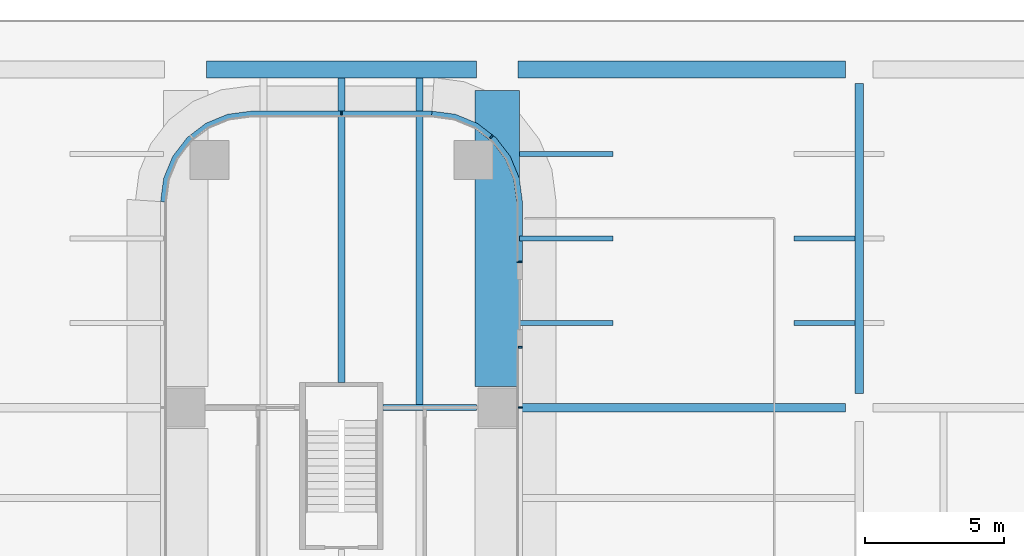
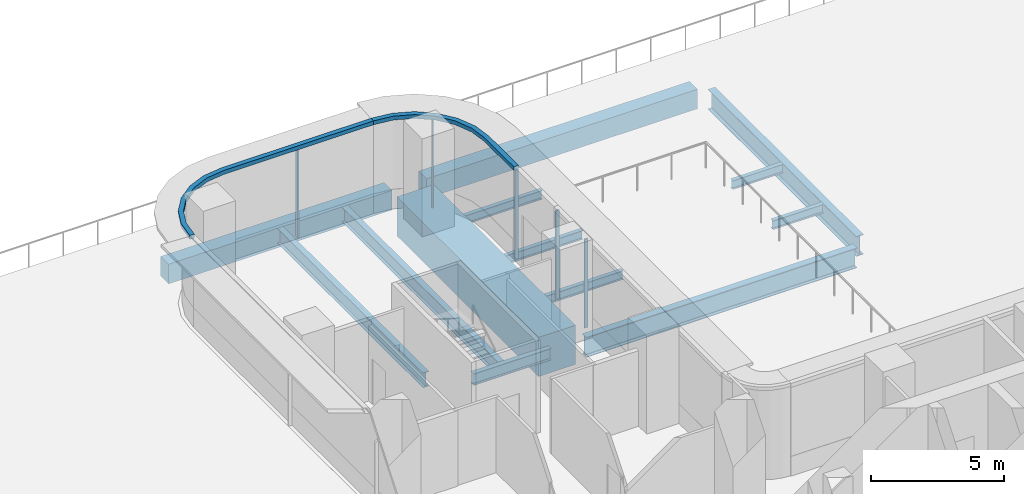
# One storey, part 15 of 29: 13 beams, 7 members, 3 elements without a shape of their own.
"""IFC4 building model written with IfcOpenShell, lengths in metres."""

from ifc_helpers import new_model, si_unit, direction, frame, origin, origin_2d, place, context, subcontext, project, spatial, polyline, rectangle, i_section, outline, extrude, source, transform, mapped, material, layer, layer_set, material_profile, profile_set, type_object, element, aggregate, save


model = new_model("IFC4")

# Units and contexts
model_context = context("Model", 3, precision=1e-05, world=origin(), true_north=direction((0.0, 1.0)))
body_context = subcontext(model_context, "Body", "Model", "MODEL_VIEW")
ifc_project = project(units=[si_unit("LENGTHUNIT", "METRE"), si_unit("AREAUNIT", "SQUARE_METRE"), si_unit("VOLUMEUNIT", "CUBIC_METRE"), si_unit("PLANEANGLEUNIT", "RADIAN"), si_unit("MASSUNIT", "GRAM", prefix="KILO")], contexts=[model_context])

# Site, building, storey
site_placement = place(None, origin())
site = spatial("IfcSite", under=ifc_project, at=site_placement, CompositionType="ELEMENT")
building_placement = place(site_placement, origin())
building = spatial("IfcBuilding", under=site, at=building_placement, Name="Trellis Farm Tower", CompositionType="ELEMENT")
storey_placement = place(building_placement, frame((0.0, 0.0, 34.0)))
storey = spatial("IfcBuildingStorey", under=building, at=storey_placement, Name="L06", CompositionType="ELEMENT", Elevation=34.0)

# Beams
ifc_material_1 = material(Name="Steel S355", Category="steel")
ifc_material_profile_1 = material_profile(ifc_material_1, i_section(OverallWidth=0.177978515625, OverallDepth=0.406494140625, WebThickness=0.0078125, FlangeThickness=0.0126953125, FilletRadius=0.01025390625, at=origin_2d()), Name="UB 406x178x60")
ifc_profile_set_1 = profile_set([ifc_material_profile_1], Name="Steel S355")
beam_type_1 = type_object("IfcBeamType", Name="UB 406x178x60 joist", PredefinedType="JOIST", material=ifc_profile_set_1)
shared_shape_1 = source(origin(), body_context, "Body", "SweptSolid", [
    extrude(i_section(OverallWidth=0.177978515625, OverallDepth=0.406494140625, WebThickness=0.0078125, FlangeThickness=0.0126953125, FilletRadius=0.01025390625, at=origin_2d()), origin(), (0.0, 0.0, 1.0), 2.197265625),
])
for number, where, z_axis, x_axis, name in (
    (1, (16.25, 21.637451171875, -0.55322265625), (1.0, 0.0, 0.0), (0.0, 1.0, 0.0), "Floor beam"),
    (2, (16.25, 24.675048828125, -0.55322265625), (1.0, 0.0, 0.0), (0.0, 1.0, 0.0), "Floor beam"),
):
    element("IfcBeam", number, at=place(storey_placement, frame(where, z_axis=z_axis, x_axis=x_axis)), inside=storey, type_object=beam_type_1, Name=name, PredefinedType="JOIST", context=body_context, shape_type="MappedRepresentation", body=[
        mapped(shared_shape_1, transform((0.0, 0.0, 0.0))),
    ])
ifc_material_profile_2 = material_profile(ifc_material_1, i_section(OverallWidth=0.209228515625, OverallDepth=0.533203125, WebThickness=0.010009765625, FlangeThickness=0.015625, FilletRadius=0.0126953125, at=origin_2d()), Name="UB 533x210x92")
ifc_profile_set_2 = profile_set([ifc_material_profile_2], Name="Steel S355")
beam_type_2 = type_object("IfcBeamType", Name="UB 533x210x92", PredefinedType="BEAM", material=ifc_profile_set_2)
shared_shape_2 = source(origin(), body_context, "Body", "SweptSolid", [
    extrude(i_section(OverallWidth=0.209228515625, OverallDepth=0.533203125, WebThickness=0.010009765625, FlangeThickness=0.015625, FilletRadius=0.0126953125, at=origin_2d()), origin(), (0.0, 0.0, 1.0), 3.35009765625),
])
beam_1_placement = place(storey_placement, frame((1.5, 18.60009765625, -0.61669921875), z_axis=(1.0, 0.0, 0.0), x_axis=(0.0, 1.0, 0.0)))
element("IfcBeam", 3, at=beam_1_placement, inside=storey, type_object=beam_type_2, Name="Girder", PredefinedType="BEAM", context=body_context, shape_type="MappedRepresentation", body=[
    mapped(shared_shape_2, transform((0.0, 0.0, 0.0))),
])
ifc_material_profile_3 = material_profile(ifc_material_1, i_section(OverallWidth=0.305419921875, OverallDepth=0.91845703125, WebThickness=0.017333984375, FlangeThickness=0.02783203125, FilletRadius=0.01904296875, at=origin_2d()), Name="UB 914x305x253")
ifc_profile_set_3 = profile_set([ifc_material_profile_3], Name="Steel S355")
beam_type_3 = type_object("IfcBeamType", Name="UB 914x305x253", PredefinedType="BEAM", material=ifc_profile_set_3)
shared_shape_3 = source(origin(), body_context, "Body", "SweptSolid", [
    extrude(i_section(OverallWidth=0.305419921875, OverallDepth=0.91845703125, WebThickness=0.017333984375, FlangeThickness=0.02783203125, FilletRadius=0.01904296875, at=origin_2d()), origin(), (0.0, 0.0, 1.0), 11.75),
])
beam_2_placement = place(storey_placement, frame((6.35009765625, 18.60009765625, -0.80908203125), z_axis=(1.0, 0.0, 0.0), x_axis=(0.0, 1.0, 0.0)))
element("IfcBeam", 4, at=beam_2_placement, inside=storey, type_object=beam_type_3, Name="Girder", PredefinedType="BEAM", context=body_context, shape_type="MappedRepresentation", body=[
    mapped(shared_shape_3, transform((0.0, 0.0, 0.0))),
])
shared_shape_4 = source(origin(), body_context, "Body", "SweptSolid", [
    extrude(i_section(OverallWidth=0.305419921875, OverallDepth=0.91845703125, WebThickness=0.017333984375, FlangeThickness=0.02783203125, FilletRadius=0.01904296875, at=origin_2d()), origin(), (0.0, 0.0, 1.0), 11.14990234375),
])
beam_3_placement = place(storey_placement, frame((18.60009765625, 19.10009765625, -0.80908203125), z_axis=(0.0, 1.0, 0.0), x_axis=(-1.0, 0.0, 0.0)))
element("IfcBeam", 5, at=beam_3_placement, inside=storey, type_object=beam_type_3, Name="Girder", PredefinedType="BEAM", context=body_context, shape_type="MappedRepresentation", body=[
    mapped(shared_shape_4, transform((0.0, 0.0, 0.0))),
])
ifc_material_2 = material(Name="Concrete C60/75", Category="concrete")
ifc_material_profile_4 = material_profile(ifc_material_2, rectangle(XDim=0.60009765625, YDim=0.89990234375, at=origin_2d()), Name="RC spandrel beam 600x900 C60/75")
ifc_profile_set_4 = profile_set([ifc_material_profile_4], Name="Concrete C60/75")
beam_type_4 = type_object("IfcBeamType", Name="RC spandrel beam 600x900 C60/75", PredefinedType="SPANDREL", material=ifc_profile_set_4)
shared_shape_5 = source(origin(), body_context, "Body", "SweptSolid", [
    extrude(rectangle(XDim=0.60009765625, YDim=0.89990234375, at=origin_2d()), origin(), (0.0, 0.0, 1.0), 11.75),
])
beam_4_placement = place(storey_placement, frame((6.35009765625, 30.75, -0.800048828125), z_axis=(1.0, 0.0, 0.0), x_axis=(0.0, 1.0, 0.0)))
element("IfcBeam", 6, at=beam_4_placement, inside=storey, type_object=beam_type_4, Name="Girder", PredefinedType="SPANDREL", context=body_context, shape_type="MappedRepresentation", body=[
    mapped(shared_shape_5, transform((0.0, 0.0, 0.0))),
])
ifc_material_3 = material(Name="Concrete C80/95", Category="concrete")
ifc_material_profile_5 = material_profile(ifc_material_3, rectangle(XDim=1.60009765625, YDim=1.800048828125, at=origin_2d()), Name="RC transfer beam 1600x1800 C80/95")
ifc_profile_set_5 = profile_set([ifc_material_profile_5], Name="Concrete C80/95")
beam_type_5 = type_object("IfcBeamType", Name="RC transfer beam 1600x1800 C80/95", PredefinedType="BEAM", material=ifc_profile_set_5)
shared_shape_6 = source(origin(), body_context, "Body", "SweptSolid", [
    extrude(rectangle(XDim=1.60009765625, YDim=1.800048828125, at=origin_2d()), origin(), (0.0, 0.0, 1.0), 10.64990234375),
])
beam_5_placement = place(storey_placement, frame((5.60009765625, 19.35009765625, -1.25), z_axis=(0.0, 1.0, 0.0), x_axis=(-1.0, 0.0, 0.0)))
element("IfcBeam", 7, at=beam_5_placement, inside=storey, type_object=beam_type_5, Name="Transfer girder", PredefinedType="BEAM", context=body_context, shape_type="MappedRepresentation", body=[
    mapped(shared_shape_6, transform((0.0, 0.0, 0.0))),
])
shared_shape_7 = source(origin(), body_context, "Body", "SweptSolid", [
    extrude(rectangle(XDim=0.60009765625, YDim=0.89990234375, at=origin_2d()), origin(), (0.0, 0.0, 1.0), 9.7001953125),
])
beam_6_placement = place(storey_placement, frame((-4.85009765625, 30.75, -0.800048828125), z_axis=(1.0, 0.0, 0.0), x_axis=(0.0, 1.0, 0.0)))
element("IfcBeam", 8, at=beam_6_placement, inside=storey, type_object=beam_type_4, Name="Girder", PredefinedType="SPANDREL", context=body_context, shape_type="MappedRepresentation", body=[
    mapped(shared_shape_7, transform((0.0, 0.0, 0.0))),
])
shared_shape_8 = source(origin(), body_context, "Body", "SweptSolid", [
    extrude(i_section(OverallWidth=0.177978515625, OverallDepth=0.406494140625, WebThickness=0.0078125, FlangeThickness=0.0126953125, FilletRadius=0.01025390625, at=origin_2d()), origin(), (0.0, 0.0, 1.0), 3.35009765625),
])
for number, where, z_axis, x_axis, name in (
    (9, (6.39990234375, 21.637451171875, -0.55322265625), (1.0, 0.0, 0.0), (0.0, 1.0, 0.0), "Floor beam"),
    (10, (6.39990234375, 24.675048828125, -0.55322265625), (1.0, 0.0, 0.0), (0.0, 1.0, 0.0), "Floor beam"),
    (11, (6.39990234375, 27.71240234375, -0.55322265625), (1.0, 0.0, 0.0), (0.0, 1.0, 0.0), "Floor beam"),
):
    element("IfcBeam", number, at=place(storey_placement, frame(where, z_axis=z_axis, x_axis=x_axis)), inside=storey, type_object=beam_type_1, Name=name, PredefinedType="JOIST", context=body_context, shape_type="MappedRepresentation", body=[
        mapped(shared_shape_8, transform((0.0, 0.0, 0.0))),
    ])
ifc_material_profile_6 = material_profile(ifc_material_1, i_section(OverallWidth=0.253662109375, OverallDepth=0.68359375, WebThickness=0.012451171875, FlangeThickness=0.021728515625, FilletRadius=0.01513671875, at=origin_2d()), Name="UB 686x254x140")
ifc_profile_set_6 = profile_set([ifc_material_profile_6], Name="Steel S355")
beam_type_6 = type_object("IfcBeamType", Name="UB 686x254x140 joist", PredefinedType="JOIST", material=ifc_profile_set_6)
shared_shape_9 = source(origin(), body_context, "Body", "SweptSolid", [
    extrude(i_section(OverallWidth=0.253662109375, OverallDepth=0.68359375, WebThickness=0.012451171875, FlangeThickness=0.021728515625, FilletRadius=0.01513671875, at=origin_2d()), origin(), (0.0, 0.0, 1.0), 11.745361328125),
])
beam_7_placement = place(storey_placement, frame((2.800048828125, 18.70458984375, -0.691650390625), z_axis=(0.0, 1.0, 0.0), x_axis=(-1.0, 0.0, 0.0)))
element("IfcBeam", 12, at=beam_7_placement, inside=storey, type_object=beam_type_6, Name="Floor beam", PredefinedType="JOIST", context=body_context, shape_type="MappedRepresentation", body=[
    mapped(shared_shape_9, transform((0.0, 0.0, 0.0))),
])
shared_shape_10 = source(origin(), body_context, "Body", "SweptSolid", [
    extrude(i_section(OverallWidth=0.253662109375, OverallDepth=0.68359375, WebThickness=0.012451171875, FlangeThickness=0.021728515625, FilletRadius=0.01513671875, at=origin_2d()), origin(), (0.0, 0.0, 1.0), 10.949951171875),
])
beam_8_placement = place(storey_placement, frame((0.0, 19.5, -0.691650390625), z_axis=(0.0, 1.0, 0.0), x_axis=(-1.0, 0.0, 0.0)))
element("IfcBeam", 13, at=beam_8_placement, inside=storey, type_object=beam_type_6, Name="Floor beam", PredefinedType="JOIST", context=body_context, shape_type="MappedRepresentation", body=[
    mapped(shared_shape_10, transform((0.0, 0.0, 0.0))),
])

# Curtain wall, members
ifc_material_4 = material(Name="Aluminium and glass curtain wall", Category="aluminium")
ifc_layer_1 = layer(ifc_material_4, 0.18994140625)
ifc_layer_set_1 = layer_set([ifc_layer_1], Name="RIBBON CURTAIN WALL CW1")
curtain_wall_type = type_object("IfcCurtainWallType", Name="RIBBON CURTAIN WALL CW1", PredefinedType="NOTDEFINED", material=ifc_layer_set_1)
placement_1 = place(storey_placement, origin())
curtain_wall_1 = element("IfcCurtainWall", 14, at=placement_1, inside=storey, type_object=curtain_wall_type, Name="CW1 010", PredefinedType="NOTDEFINED")
ifc_material_5 = material(Name="Aluminium extrusion 6063-T6", Category="aluminium")
ifc_material_profile_7 = material_profile(ifc_material_5, rectangle(XDim=0.06005859375, YDim=0.14990234375, at=origin_2d()), Name="MULLION 60x150")
ifc_profile_set_7 = profile_set([ifc_material_profile_7], Name="Aluminium extrusion 6063-T6")
member_type_1 = type_object("IfcMemberType", Name="CW1 MULLION 60x150", PredefinedType="MULLION", material=ifc_profile_set_7)
shared_shape_11 = source(origin(), body_context, "Body", "SweptSolid", [
    extrude(rectangle(XDim=0.06005859375, YDim=0.14990234375, at=origin_2d()), origin(), (0.0, 0.0, 1.0), 4.070068359375),
])
member_1_placement = place(storey_placement, frame((6.425048828125, 18.60009765625, 0.0), z_axis=(0.0, 0.0, 1.0), x_axis=(0.0, 1.0, 0.0)))
member_1 = element("IfcMember", 15, at=member_1_placement, type_object=member_type_1, Name="MU1 010-02", PredefinedType="MULLION", context=body_context, shape_type="MappedRepresentation", body=[
    mapped(shared_shape_11, transform((0.0, 0.0, 0.0))),
])
member_2_placement = place(storey_placement, frame((6.425048828125, 20.77001953125, 0.0), z_axis=(0.0, 0.0, 1.0), x_axis=(0.0, 1.0, 0.0)))
member_2 = element("IfcMember", 16, at=member_2_placement, type_object=member_type_1, Name="MU1 010-03", PredefinedType="MULLION", context=body_context, shape_type="MappedRepresentation", body=[
    mapped(shared_shape_11, transform((0.0, 0.0, 0.0))),
])
aggregate(curtain_wall_1, [member_1, member_2])

curtain_wall_2 = element("IfcCurtainWall", 17, at=placement_1, inside=storey, type_object=curtain_wall_type, Name="CW1 011", PredefinedType="NOTDEFINED")
member_3_placement = place(storey_placement, frame((6.425048828125, 23.830078125, 0.0), z_axis=(0.0, 0.0, 1.0), x_axis=(0.0, 1.0, 0.0)))
member_3 = element("IfcMember", 18, at=member_3_placement, type_object=member_type_1, Name="MU1 011-01", PredefinedType="MULLION", context=body_context, shape_type="MappedRepresentation", body=[
    mapped(shared_shape_11, transform((0.0, 0.0, 0.0))),
])
member_4_placement = place(storey_placement, frame((5.385498046875, 28.328369140625, 0.0), z_axis=(0.0, 0.0, 1.0), x_axis=(-0.793353340291, 0.608761429009, 0.0)))
member_4 = element("IfcMember", 19, at=member_4_placement, type_object=member_type_1, Name="MU1 011-02", PredefinedType="MULLION", context=body_context, shape_type="MappedRepresentation", body=[
    mapped(shared_shape_11, transform((0.0, 0.0, 0.0))),
])

curtain_wall_3 = element("IfcCurtainWall", 20, at=placement_1, inside=storey, type_object=curtain_wall_type, Name="CW1 012", PredefinedType="NOTDEFINED")
member_5_placement = place(storey_placement, frame((0.0, 29.175048828125, 0.0), z_axis=(0.0, 0.0, 1.0), x_axis=(-1.0, 0.0, 0.0)))
member_5 = element("IfcMember", 21, at=member_5_placement, type_object=member_type_1, Name="MU1 012-01", PredefinedType="MULLION", context=body_context, shape_type="MappedRepresentation", body=[
    mapped(shared_shape_11, transform((0.0, 0.0, 0.0))),
])
ifc_layer_2 = layer(ifc_material_5, 0.199951171875)
ifc_layer_set_2 = layer_set([ifc_layer_2], Name="Aluminium extrusion 6063-T6")
member_type_2 = type_object("IfcMemberType", Name="CW1 TRANSOM 200x180", PredefinedType="USERDEFINED", material=ifc_layer_set_2)
shared_shape_12 = source(origin(), body_context, "Body", "SweptSolid", [
    extrude(outline(polyline([(3.25, 29.25), (-3.25, 29.25), (-4.091064453125, 29.13916015625), (-4.875, 28.814697265625), (-5.548095703125, 28.298095703125), (-6.064697265625, 27.625), (-6.38916015625, 26.841064453125), (-6.5, 26.0), (-6.300048828125, 25.98681640625), (-6.1943359375, 26.7890625), (-5.889892578125, 27.524169921875), (-5.405517578125, 28.155517578125), (-4.774169921875, 28.639892578125), (-4.0390625, 28.9443359375), (-3.23681640625, 29.050048828125), (3.23681640625, 29.050048828125), (3.25, 29.25)])), origin(), (0.0, 0.0, 1.0), 0.179931640625),
])
placement_2 = place(storey_placement, frame((0.0, 0.0, 4.070068359375)))
member_6 = element("IfcMember", 22, at=placement_2, type_object=member_type_2, Name="TR1 012", ObjectType="TRANSOM", PredefinedType="USERDEFINED", context=body_context, shape_type="MappedRepresentation", body=[
    mapped(shared_shape_12, transform((0.0, 0.0, 0.0))),
])
aggregate(curtain_wall_3, [member_5, member_6])

# Member
shared_shape_13 = source(origin(), body_context, "Body", "SweptSolid", [
    extrude(outline(polyline([(6.5, 23.800048828125), (6.5, 26.0), (6.38916015625, 26.841064453125), (6.064697265625, 27.625), (5.548095703125, 28.298095703125), (4.875, 28.814697265625), (4.091064453125, 29.13916015625), (3.25, 29.25), (3.23681640625, 29.050048828125), (4.0390625, 28.9443359375), (4.774169921875, 28.639892578125), (5.405517578125, 28.155517578125), (5.889892578125, 27.524169921875), (6.1943359375, 26.7890625), (6.300048828125, 25.98681640625), (6.300048828125, 23.800048828125), (6.5, 23.800048828125)])), origin(), (0.0, 0.0, 1.0), 0.179931640625),
])
member_7 = element("IfcMember", 23, at=placement_2, type_object=member_type_2, Name="TR1 011", ObjectType="TRANSOM", PredefinedType="USERDEFINED", context=body_context, shape_type="MappedRepresentation", body=[
    mapped(shared_shape_13, transform((0.0, 0.0, 0.0))),
])

aggregate(curtain_wall_2, [member_3, member_4, member_7])

save(model, "model.ifc")
